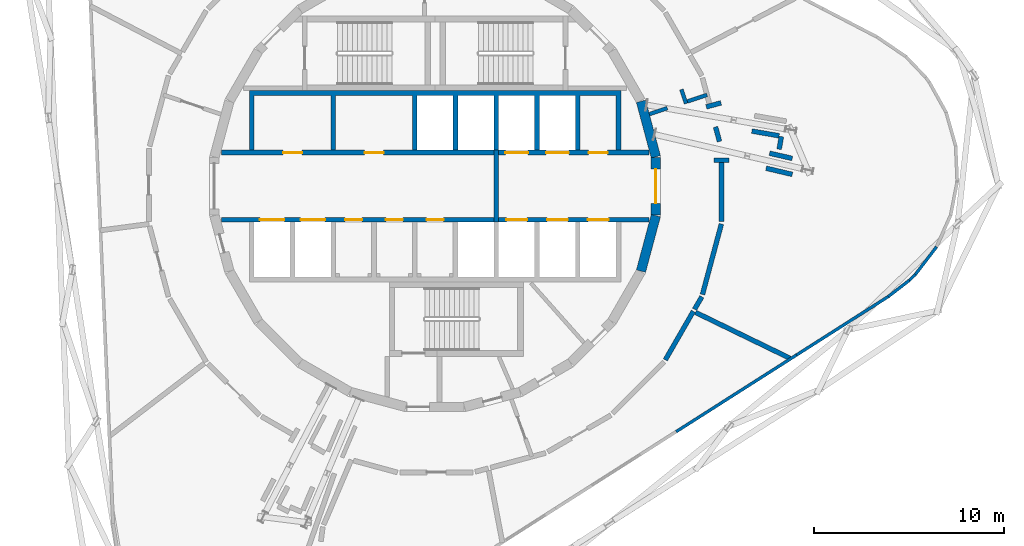
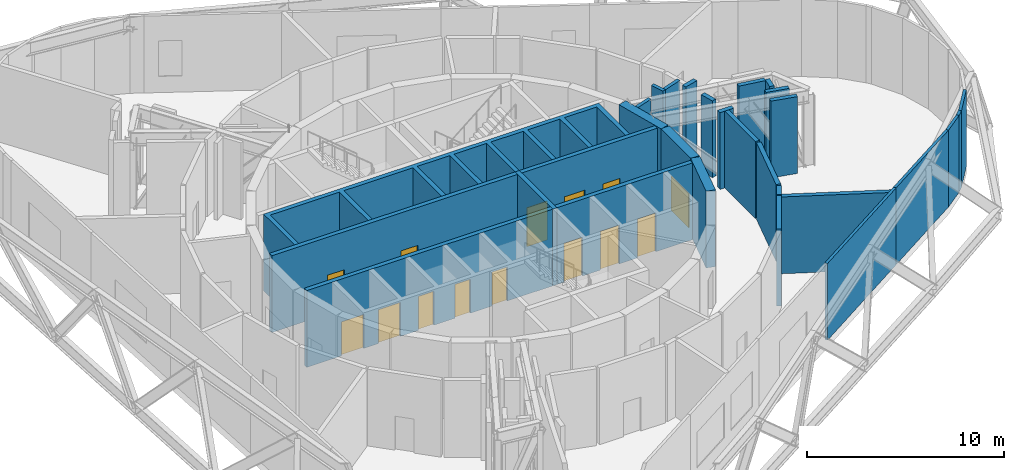
# One storey, part 7 of 12: 29 walls, 14 doors, 14 openings.
"""IFC4 building model written with IfcOpenShell, lengths in metres."""

from ifc_helpers import new_model, si_unit, direction, frame, frame_2d, origin, place, context, subcontext, project, spatial, polyline, rectangle, outline, extrude, material, layer, layer_set, type_object, element, fill, save


model = new_model("IFC4")

# Units and contexts
model_context = context("Model", 3, precision=1e-05, world=origin(), true_north=direction((0.0, 1.0)))
body_context = subcontext(model_context, "Body", "Model", "MODEL_VIEW")
ifc_project = project(units=[si_unit("LENGTHUNIT", "METRE"), si_unit("AREAUNIT", "SQUARE_METRE"), si_unit("VOLUMEUNIT", "CUBIC_METRE"), si_unit("PLANEANGLEUNIT", "RADIAN"), si_unit("MASSUNIT", "GRAM", prefix="KILO")], contexts=[model_context])

# Site, building, storey
site_placement = place(None, origin())
site = spatial("IfcSite", under=ifc_project, at=site_placement, CompositionType="ELEMENT")
building_placement = place(site_placement, origin())
building = spatial("IfcBuilding", under=site, at=building_placement, Name="Spindle Arch Residences", CompositionType="ELEMENT")
storey_placement = place(building_placement, frame((0.0, 0.0, 258.199951171875)))
storey = spatial("IfcBuildingStorey", under=building, at=storey_placement, Name="L66", CompositionType="ELEMENT", Elevation=258.199951171875)

# Wall
ifc_material_1 = material(Name="Concrete C50/60", Category="concrete")
ifc_layer_1 = layer(ifc_material_1, 0.5)
ifc_layer_set_1 = layer_set([ifc_layer_1], Name="Core outline wall 500")
wall_type_1 = type_object("IfcWallType", Name="Core outline wall 500", PredefinedType="SHEAR", material=ifc_layer_set_1)
wall_1_placement = place(storey_placement, frame((10.858154296875, -4.479248046875, 0.0), z_axis=(0.0, 0.0, 1.0), x_axis=(0.258734743916, 0.965948410781, 0.0)))
element("IfcWall", 1, at=wall_1_placement, inside=storey, type_object=wall_type_1, Name="Core outline wall 5", PredefinedType="SHEAR", context=body_context, shape_type="SweptSolid", body=[
    extrude(rectangle(XDim=3.03271484375, YDim=0.5, at=frame_2d((1.516357421875, 0.0))), origin(), (0.0, 0.0, 1.0), 4.75),
])

# Wall, opening, door
wall_2_placement = place(storey_placement, frame((11.647216796875, -1.516357421875, 0.0), z_axis=(0.0, 0.0, 1.0), x_axis=(0.0, 1.0, 0.0)))
wall_2 = element("IfcWall", 2, at=wall_2_placement, inside=storey, type_object=wall_type_1, Name="Core outline wall 6", PredefinedType="SHEAR", context=body_context, shape_type="SweptSolid", body=[
    extrude(rectangle(XDim=3.03271484375, YDim=0.5, at=frame_2d((1.516357421875, 0.0))), origin(), (0.0, 0.0, 1.0), 4.75),
])
opening_1_placement = place(wall_2_placement, frame((0.6162109375, 0.0, 0.0)))
opening_1 = element("IfcOpeningElement", 3, at=opening_1_placement, cuts=wall_2, Name="Opening L66-FE01", PredefinedType="OPENING", context=body_context, shape_type="SweptSolid", body=[
    extrude(rectangle(XDim=1.800048828125, YDim=2.10009765625, at=frame_2d((0.89990234375, 1.050048828125))), frame((0.0, 0.260009765625, 0.0), z_axis=(0.0, -1.0, 0.0), x_axis=(1.0, 0.0, 0.0)), (0.0, 0.0, 1.0), 0.52001953125),
])
ifc_material_2 = material(Name="Steel, fire-resisting door", Category="steel")
door_type_1 = type_object("IfcDoorType", Name="Fire-lift lobby door 1800x2100", OperationType="DOUBLE_DOOR_SINGLE_SWING", PredefinedType="DOOR", material=ifc_material_2)
door_1_placement = place(opening_1_placement, origin())
door_1 = element("IfcDoor", 4, at=door_1_placement, inside=storey, type_object=door_type_1, Name="Fire-lift lobby door L66-FE01", OperationType="DOUBLE_DOOR_SINGLE_SWING", OverallHeight=2.10009765625, OverallWidth=1.800048828125, PredefinedType="DOOR", context=body_context, shape_type="SweptSolid", body=[
    extrude(rectangle(XDim=1.800048828125, YDim=2.10009765625, at=frame_2d((0.89990234375, 1.050048828125))), frame((0.0, 0.02490234375, 0.0), z_axis=(0.0, -1.0, 0.0), x_axis=(1.0, 0.0, 0.0)), (0.0, 0.0, 1.0), 0.050048828125),
])
fill(opening_1, door_1)

# Wall
wall_3_placement = place(storey_placement, frame((11.642822265625, 1.5498046875, 0.0), z_axis=(0.0, 0.0, 1.0), x_axis=(-0.258734743916, 0.965948410781, 0.0)))
element("IfcWall", 5, at=wall_3_placement, inside=storey, type_object=wall_type_1, Name="Core outline wall 7", PredefinedType="SHEAR", context=body_context, shape_type="SweptSolid", body=[
    extrude(rectangle(XDim=3.03271484375, YDim=0.5, at=frame_2d((1.516357421875, 0.0))), origin(), (0.0, 0.0, 1.0), 4.75),
])

# Wall, openings, doors
ifc_material_3 = material(Name="Concrete C40/50", Category="concrete")
ifc_layer_2 = layer(ifc_material_3, 0.25)
ifc_layer_set_2 = layer_set([ifc_layer_2], Name="Fire-lift lobby wall 250")
wall_type_2 = type_object("IfcWallType", Name="Fire-lift lobby wall 250", PredefinedType="SHEAR", material=ifc_layer_set_2)
wall_4_placement = place(storey_placement, frame((3.35009765625, 1.77490234375, 0.0), z_axis=(0.0, 0.0, 1.0), x_axis=(1.0, 0.0, 0.0)))
wall_4 = element("IfcWall", 6, at=wall_4_placement, inside=storey, type_object=wall_type_2, Name="Lift shaft front wall NE", PredefinedType="SHEAR", context=body_context, shape_type="SweptSolid", body=[
    extrude(rectangle(XDim=7.929931640625, YDim=0.25, at=frame_2d((3.96484375, 0.0))), origin(), (0.0, 0.0, 1.0), 4.75),
])
opening_2_placement = place(wall_4_placement, frame((0.35009765625, 0.0, 0.0)))
opening_2 = element("IfcOpeningElement", 7, at=opening_2_placement, cuts=wall_4, Name="Opening L66-SLD01", PredefinedType="OPENING", context=body_context, shape_type="SweptSolid", body=[
    extrude(rectangle(XDim=1.199951171875, YDim=2.39990234375, at=frame_2d((0.60009765625, 1.199951171875))), frame((0.0, 0.135009765625, 0.0), z_axis=(0.0, -1.0, 0.0), x_axis=(1.0, 0.0, 0.0)), (0.0, 0.0, 1.0), 0.27001953125),
])
opening_3_placement = place(wall_4_placement, frame((2.5, 0.0, 0.0)))
opening_3 = element("IfcOpeningElement", 8, at=opening_3_placement, cuts=wall_4, Name="Opening L66-SLD02", PredefinedType="OPENING", context=body_context, shape_type="SweptSolid", body=[
    extrude(rectangle(XDim=1.199951171875, YDim=2.39990234375, at=frame_2d((0.60009765625, 1.199951171875))), frame((0.0, 0.135009765625, 0.0), z_axis=(0.0, -1.0, 0.0), x_axis=(1.0, 0.0, 0.0)), (0.0, 0.0, 1.0), 0.27001953125),
])
opening_4_placement = place(wall_4_placement, frame((4.75, 0.0, 0.0)))
opening_4 = element("IfcOpeningElement", 9, at=opening_4_placement, cuts=wall_4, Name="Opening L66-PD03", PredefinedType="OPENING", context=body_context, shape_type="SweptSolid", body=[
    extrude(rectangle(XDim=1.0, YDim=2.39990234375, at=frame_2d((0.5, 1.199951171875))), frame((0.0, 0.135009765625, 0.0), z_axis=(0.0, -1.0, 0.0), x_axis=(1.0, 0.0, 0.0)), (0.0, 0.0, 1.0), 0.27001953125),
])
ifc_material_4 = material(Name="Steel, fire-resisting door", Category="steel")
door_type_2 = type_object("IfcDoorType", Name="Plant room door 1000x2400", OperationType="SINGLE_SWING_LEFT", PredefinedType="DOOR", material=ifc_material_4)
door_2_placement = place(opening_4_placement, origin())
door_2 = element("IfcDoor", 10, at=door_2_placement, inside=storey, type_object=door_type_2, Name="Plant room door L66-PD03", OperationType="SINGLE_SWING_RIGHT", OverallHeight=2.39990234375, OverallWidth=1.0, PredefinedType="DOOR", context=body_context, shape_type="SweptSolid", body=[
    extrude(rectangle(XDim=1.0, YDim=2.39990234375, at=frame_2d((0.5, 1.199951171875))), frame((0.0, 0.02490234375, 0.0), z_axis=(0.0, -1.0, 0.0), x_axis=(1.0, 0.0, 0.0)), (0.0, 0.0, 1.0), 0.050048828125),
])
fill(opening_4, door_2)
ifc_material_5 = material(Name="Steel, fire-resisting landing door", Category="steel")
door_type_3 = type_object("IfcDoorType", Name="Service lift landing door 1200x2400", OperationType="DOUBLE_DOOR_SLIDING", PredefinedType="DOOR", material=ifc_material_5)
door_3_placement = place(opening_2_placement, origin())
door_3 = element("IfcDoor", 11, at=door_3_placement, inside=storey, type_object=door_type_3, Name="Service lift landing door L66-SLD01", OperationType="DOUBLE_DOOR_SLIDING", OverallHeight=2.39990234375, OverallWidth=1.199951171875, PredefinedType="DOOR", context=body_context, shape_type="SweptSolid", body=[
    extrude(rectangle(XDim=1.199951171875, YDim=2.39990234375, at=frame_2d((0.60009765625, 1.199951171875))), frame((0.0, 0.02490234375, 0.0), z_axis=(0.0, -1.0, 0.0), x_axis=(1.0, 0.0, 0.0)), (0.0, 0.0, 1.0), 0.050048828125),
])
fill(opening_2, door_3)
door_4_placement = place(opening_3_placement, origin())
door_4 = element("IfcDoor", 12, at=door_4_placement, inside=storey, type_object=door_type_3, Name="Service lift landing door L66-SLD02", OperationType="DOUBLE_DOOR_SLIDING", OverallHeight=2.39990234375, OverallWidth=1.199951171875, PredefinedType="DOOR", context=body_context, shape_type="SweptSolid", body=[
    extrude(rectangle(XDim=1.199951171875, YDim=2.39990234375, at=frame_2d((0.60009765625, 1.199951171875))), frame((0.0, 0.02490234375, 0.0), z_axis=(0.0, -1.0, 0.0), x_axis=(1.0, 0.0, 0.0)), (0.0, 0.0, 1.0), 0.050048828125),
])
fill(opening_3, door_4)

# Wall
wall_5_placement = place(storey_placement, frame((3.22509765625, -1.89990234375, 0.0), z_axis=(0.0, 0.0, 1.0), x_axis=(0.0, 1.0, 0.0)))
element("IfcWall", 13, at=wall_5_placement, inside=storey, type_object=wall_type_2, Name="Fire-fighting lobby partition", PredefinedType="SHEAR", context=body_context, shape_type="SweptSolid", body=[
    extrude(rectangle(XDim=3.7998046875, YDim=0.25, at=frame_2d((1.89990234375, 0.0))), origin(), (0.0, 0.0, 1.0), 4.75),
])

# Wall, openings, doors
ifc_material_6 = material(Name="Concrete C50/60", Category="concrete")
ifc_layer_3 = layer(ifc_material_6, 0.25)
ifc_layer_set_3 = layer_set([ifc_layer_3], Name="Fire-lift shaft wall 250")
wall_type_3 = type_object("IfcWallType", Name="Fire-lift shaft wall 250", PredefinedType="SHEAR", material=ifc_layer_set_3)
wall_6_placement = place(storey_placement, frame((3.35009765625, -1.77490234375, 0.0), z_axis=(0.0, 0.0, 1.0), x_axis=(1.0, 0.0, 0.0)))
wall_6 = element("IfcWall", 14, at=wall_6_placement, inside=storey, type_object=wall_type_3, Name="Lift shaft front wall SE", PredefinedType="SHEAR", context=body_context, shape_type="SweptSolid", body=[
    extrude(rectangle(XDim=7.929931640625, YDim=0.25, at=frame_2d((3.96484375, 0.0))), origin(), (0.0, 0.0, 1.0), 4.75),
])
opening_5_placement = place(wall_6_placement, frame((0.39990234375, 0.0, 0.0)))
opening_5 = element("IfcOpeningElement", 15, at=opening_5_placement, cuts=wall_6, Name="Opening L66-FLD01", PredefinedType="OPENING", context=body_context, shape_type="SweptSolid", body=[
    extrude(rectangle(XDim=1.10009765625, YDim=2.39990234375, at=frame_2d((0.550048828125, 1.199951171875))), frame((0.0, 0.135009765625, 0.0), z_axis=(0.0, -1.0, 0.0), x_axis=(1.0, 0.0, 0.0)), (0.0, 0.0, 1.0), 0.27001953125),
])
opening_6_placement = place(wall_6_placement, frame((2.550048828125, 0.0, 0.0)))
opening_6 = element("IfcOpeningElement", 16, at=opening_6_placement, cuts=wall_6, Name="Opening L66-FLD02", PredefinedType="OPENING", context=body_context, shape_type="SweptSolid", body=[
    extrude(rectangle(XDim=1.10009765625, YDim=2.39990234375, at=frame_2d((0.550048828125, 1.199951171875))), frame((0.0, 0.135009765625, 0.0), z_axis=(0.0, -1.0, 0.0), x_axis=(1.0, 0.0, 0.0)), (0.0, 0.0, 1.0), 0.27001953125),
])
opening_7_placement = place(wall_6_placement, frame((4.699951171875, 0.0, 0.0)))
opening_7 = element("IfcOpeningElement", 17, at=opening_7_placement, cuts=wall_6, Name="Opening L66-FLD03", PredefinedType="OPENING", context=body_context, shape_type="SweptSolid", body=[
    extrude(rectangle(XDim=1.10009765625, YDim=2.39990234375, at=frame_2d((0.550048828125, 1.199951171875))), frame((0.0, 0.135009765625, 0.0), z_axis=(0.0, -1.0, 0.0), x_axis=(1.0, 0.0, 0.0)), (0.0, 0.0, 1.0), 0.27001953125),
])
ifc_material_7 = material(Name="Steel, fire-resisting landing door", Category="steel")
door_type_4 = type_object("IfcDoorType", Name="Fire-fighting lift landing door 1100x2400", OperationType="DOUBLE_DOOR_SLIDING", PredefinedType="DOOR", material=ifc_material_7)
door_5_placement = place(opening_5_placement, origin())
door_5 = element("IfcDoor", 18, at=door_5_placement, inside=storey, type_object=door_type_4, Name="Fire-fighting lift landing door L66-FLD01", OperationType="DOUBLE_DOOR_SLIDING", OverallHeight=2.39990234375, OverallWidth=1.10009765625, PredefinedType="DOOR", context=body_context, shape_type="SweptSolid", body=[
    extrude(rectangle(XDim=1.10009765625, YDim=2.39990234375, at=frame_2d((0.550048828125, 1.199951171875))), frame((0.0, 0.02490234375, 0.0), z_axis=(0.0, -1.0, 0.0), x_axis=(1.0, 0.0, 0.0)), (0.0, 0.0, 1.0), 0.050048828125),
])
fill(opening_5, door_5)
door_6_placement = place(opening_6_placement, origin())
door_6 = element("IfcDoor", 19, at=door_6_placement, inside=storey, type_object=door_type_4, Name="Fire-fighting lift landing door L66-FLD02", OperationType="DOUBLE_DOOR_SLIDING", OverallHeight=2.39990234375, OverallWidth=1.10009765625, PredefinedType="DOOR", context=body_context, shape_type="SweptSolid", body=[
    extrude(rectangle(XDim=1.10009765625, YDim=2.39990234375, at=frame_2d((0.550048828125, 1.199951171875))), frame((0.0, 0.02490234375, 0.0), z_axis=(0.0, -1.0, 0.0), x_axis=(1.0, 0.0, 0.0)), (0.0, 0.0, 1.0), 0.050048828125),
])
fill(opening_6, door_6)
door_7_placement = place(opening_7_placement, origin())
door_7 = element("IfcDoor", 20, at=door_7_placement, inside=storey, type_object=door_type_4, Name="Fire-fighting lift landing door L66-FLD03", OperationType="DOUBLE_DOOR_SLIDING", OverallHeight=2.39990234375, OverallWidth=1.10009765625, PredefinedType="DOOR", context=body_context, shape_type="SweptSolid", body=[
    extrude(rectangle(XDim=1.10009765625, YDim=2.39990234375, at=frame_2d((0.550048828125, 1.199951171875))), frame((0.0, 0.02490234375, 0.0), z_axis=(0.0, -1.0, 0.0), x_axis=(1.0, 0.0, 0.0)), (0.0, 0.0, 1.0), 0.050048828125),
])
fill(opening_7, door_7)

# Walls
ifc_material_8 = material(Name="Non-combustible mineral wool insulated aluminium faced external wall (K0)", Category="aluminium")
ifc_layer_4 = layer(ifc_material_8, 0.159912109375)
ifc_layer_set_4 = layer_set([ifc_layer_4], Name="Insulated external wall panel 160")
wall_type_4 = type_object("IfcWallType", Name="Insulated external wall panel 160", PredefinedType="STANDARD", material=ifc_layer_set_4)
wall_7_placement = place(storey_placement, frame((12.71484375, -12.950927734375, 0.0), z_axis=(0.0, 0.0, 1.0), x_axis=(0.843393042763, 0.537297101629, 0.0)))
element("IfcWall", 21, at=wall_7_placement, inside=storey, type_object=wall_type_4, Name="Plant wall L66 bay 1", PredefinedType="STANDARD", context=body_context, shape_type="SweptSolid", body=[
    extrude(rectangle(XDim=7.530029296875, YDim=0.159912109375, at=frame_2d((3.76513671875, 0.0))), origin(), (0.0, 0.0, 1.0), 4.75),
])
wall_8_placement = place(storey_placement, frame((19.065673828125, -8.905029296875, 0.0), z_axis=(0.0, 0.0, 1.0), x_axis=(0.843393436183, 0.537296484079, 0.0)))
element("IfcWall", 22, at=wall_8_placement, inside=storey, type_object=wall_type_4, Name="Plant wall L66 bay 2.1", PredefinedType="STANDARD", context=body_context, shape_type="SweptSolid", body=[
    extrude(rectangle(XDim=5.740234375, YDim=0.159912109375, at=frame_2d((2.8701171875, 0.0))), origin(), (0.0, 0.0, 1.0), 4.75),
])
wall_9_placement = place(storey_placement, frame((23.904052734375, -5.82275390625, 0.0), z_axis=(0.0, 0.0, 1.0), x_axis=(0.792514141733, 0.609853535821, 0.0)))
element("IfcWall", 23, at=wall_9_placement, inside=storey, type_object=wall_type_4, Name="Plant wall L66 bay 2.2", PredefinedType="STANDARD", context=body_context, shape_type="SweptSolid", body=[
    extrude(rectangle(XDim=1.40478515625, YDim=0.159912109375, at=frame_2d((0.702392578125, 0.0))), origin(), (0.0, 0.0, 1.0), 4.75),
])
wall_10_placement = place(storey_placement, frame((25.017333984375, -4.966064453125, 0.0), z_axis=(0.0, 0.0, 1.0), x_axis=(0.71617993341, 0.697915684722, 0.0)))
element("IfcWall", 24, at=wall_10_placement, inside=storey, type_object=wall_type_4, Name="Plant wall L66 bay 3.1", PredefinedType="STANDARD", context=body_context, shape_type="SweptSolid", body=[
    extrude(rectangle(XDim=0.441162109375, YDim=0.159912109375, at=frame_2d((0.220703125, 0.0))), origin(), (0.0, 0.0, 1.0), 4.75),
])
wall_11_placement = place(storey_placement, frame((25.329345703125, -4.66259765625, 0.0), z_axis=(0.0, 0.0, 1.0), x_axis=(0.60876459751, 0.793350909005, 0.0)))
element("IfcWall", 25, at=wall_11_placement, inside=storey, type_object=wall_type_4, Name="Plant wall L66 bay 3.2", PredefinedType="STANDARD", context=body_context, shape_type="SweptSolid", body=[
    extrude(rectangle(XDim=1.846435546875, YDim=0.159912109375, at=frame_2d((0.92333984375, 0.0))), origin(), (0.0, 0.0, 1.0), 4.75),
])

# Wall, openings, doors
ifc_material_9 = material(Name="Concrete C50/60", Category="concrete")
ifc_layer_5 = layer(ifc_material_9, 0.25)
ifc_layer_set_5 = layer_set([ifc_layer_5], Name="Lift shaft wall 250")
wall_type_5 = type_object("IfcWallType", Name="Lift shaft wall 250", PredefinedType="SHEAR", material=ifc_layer_set_5)
wall_12_placement = place(storey_placement, frame((-11.280029296875, 1.77490234375, 0.0), z_axis=(0.0, 0.0, 1.0), x_axis=(1.0, 0.0, 0.0)))
wall_12 = element("IfcWall", 26, at=wall_12_placement, inside=storey, type_object=wall_type_5, Name="Lift shaft front wall NW", PredefinedType="SHEAR", context=body_context, shape_type="SweptSolid", body=[
    extrude(rectangle(XDim=14.380126953125, YDim=0.25, at=frame_2d((7.18994140625, 0.0))), origin(), (0.0, 0.0, 1.0), 4.75),
])
opening_8_placement = place(wall_12_placement, frame((3.2548828125, 0.0, 0.0)))
opening_8 = element("IfcOpeningElement", 27, at=opening_8_placement, cuts=wall_12, Name="Opening L66-PD01", PredefinedType="OPENING", context=body_context, shape_type="SweptSolid", body=[
    extrude(rectangle(XDim=1.0, YDim=2.39990234375, at=frame_2d((0.5, 1.199951171875))), frame((0.0, 0.135009765625, 0.0), z_axis=(0.0, -1.0, 0.0), x_axis=(1.0, 0.0, 0.0)), (0.0, 0.0, 1.0), 0.27001953125),
])
opening_9_placement = place(wall_12_placement, frame((7.554931640625, 0.0, 0.0)))
opening_9 = element("IfcOpeningElement", 28, at=opening_9_placement, cuts=wall_12, Name="Opening L66-PD02", PredefinedType="OPENING", context=body_context, shape_type="SweptSolid", body=[
    extrude(rectangle(XDim=1.0, YDim=2.39990234375, at=frame_2d((0.5, 1.199951171875))), frame((0.0, 0.135009765625, 0.0), z_axis=(0.0, -1.0, 0.0), x_axis=(1.0, 0.0, 0.0)), (0.0, 0.0, 1.0), 0.27001953125),
])
door_8_placement = place(opening_8_placement, origin())
door_8 = element("IfcDoor", 29, at=door_8_placement, inside=storey, type_object=door_type_2, Name="Plant room door L66-PD01", OperationType="SINGLE_SWING_RIGHT", OverallHeight=2.39990234375, OverallWidth=1.0, PredefinedType="DOOR", context=body_context, shape_type="SweptSolid", body=[
    extrude(rectangle(XDim=1.0, YDim=2.39990234375, at=frame_2d((0.5, 1.199951171875))), frame((0.0, 0.02490234375, 0.0), z_axis=(0.0, -1.0, 0.0), x_axis=(1.0, 0.0, 0.0)), (0.0, 0.0, 1.0), 0.050048828125),
])
fill(opening_8, door_8)
door_9_placement = place(opening_9_placement, origin())
door_9 = element("IfcDoor", 30, at=door_9_placement, inside=storey, type_object=door_type_2, Name="Plant room door L66-PD02", OperationType="SINGLE_SWING_LEFT", OverallHeight=2.39990234375, OverallWidth=1.0, PredefinedType="DOOR", context=body_context, shape_type="SweptSolid", body=[
    extrude(rectangle(XDim=1.0, YDim=2.39990234375, at=frame_2d((0.5, 1.199951171875))), frame((0.0, 0.02490234375, 0.0), z_axis=(0.0, -1.0, 0.0), x_axis=(1.0, 0.0, 0.0)), (0.0, 0.0, 1.0), 0.050048828125),
])
fill(opening_9, door_9)

wall_13_placement = place(storey_placement, frame((-11.280029296875, -1.77490234375, 0.0), z_axis=(0.0, 0.0, 1.0), x_axis=(1.0, 0.0, 0.0)))
wall_13 = element("IfcWall", 31, at=wall_13_placement, inside=storey, type_object=wall_type_5, Name="Lift shaft front wall SW", PredefinedType="SHEAR", context=body_context, shape_type="SweptSolid", body=[
    extrude(rectangle(XDim=14.380126953125, YDim=0.25, at=frame_2d((7.18994140625, 0.0))), origin(), (0.0, 0.0, 1.0), 4.75),
])
opening_10_placement = place(wall_13_placement, frame((2.030029296875, 0.0, 0.0)))
opening_10 = element("IfcOpeningElement", 32, at=opening_10_placement, cuts=wall_13, Name="Opening L66-XLD01", PredefinedType="OPENING", context=body_context, shape_type="SweptSolid", body=[
    extrude(rectangle(XDim=1.300048828125, YDim=2.10009765625, at=frame_2d((0.64990234375, 1.050048828125))), frame((0.0, 0.135009765625, 0.0), z_axis=(0.0, -1.0, 0.0), x_axis=(1.0, 0.0, 0.0)), (0.0, 0.0, 1.0), 0.27001953125),
])
opening_11_placement = place(wall_13_placement, frame((4.179931640625, 0.0, 0.0)))
opening_11 = element("IfcOpeningElement", 33, at=opening_11_placement, cuts=wall_13, Name="Opening L66-XLD02", PredefinedType="OPENING", context=body_context, shape_type="SweptSolid", body=[
    extrude(rectangle(XDim=1.300048828125, YDim=2.10009765625, at=frame_2d((0.64990234375, 1.050048828125))), frame((0.0, 0.135009765625, 0.0), z_axis=(0.0, -1.0, 0.0), x_axis=(1.0, 0.0, 0.0)), (0.0, 0.0, 1.0), 0.27001953125),
])
opening_12_placement = place(wall_13_placement, frame((6.530029296875, 0.0, 0.0)))
opening_12 = element("IfcOpeningElement", 34, at=opening_12_placement, cuts=wall_13, Name="Opening L66-WD01", PredefinedType="OPENING", context=body_context, shape_type="SweptSolid", body=[
    extrude(rectangle(XDim=0.89990234375, YDim=2.10009765625, at=frame_2d((0.449951171875, 1.050048828125))), frame((0.0, 0.135009765625, 0.0), z_axis=(0.0, -1.0, 0.0), x_axis=(1.0, 0.0, 0.0)), (0.0, 0.0, 1.0), 0.27001953125),
])
opening_13_placement = place(wall_13_placement, frame((8.679931640625, 0.0, 0.0)))
opening_13 = element("IfcOpeningElement", 35, at=opening_13_placement, cuts=wall_13, Name="Opening L66-WD02", PredefinedType="OPENING", context=body_context, shape_type="SweptSolid", body=[
    extrude(rectangle(XDim=0.89990234375, YDim=2.10009765625, at=frame_2d((0.449951171875, 1.050048828125))), frame((0.0, 0.135009765625, 0.0), z_axis=(0.0, -1.0, 0.0), x_axis=(1.0, 0.0, 0.0)), (0.0, 0.0, 1.0), 0.27001953125),
])
opening_14_placement = place(wall_13_placement, frame((10.830078125, 0.0, 0.0)))
opening_14 = element("IfcOpeningElement", 36, at=opening_14_placement, cuts=wall_13, Name="Opening L66-WD03", PredefinedType="OPENING", context=body_context, shape_type="SweptSolid", body=[
    extrude(rectangle(XDim=0.89990234375, YDim=2.10009765625, at=frame_2d((0.449951171875, 1.050048828125))), frame((0.0, 0.135009765625, 0.0), z_axis=(0.0, -1.0, 0.0), x_axis=(1.0, 0.0, 0.0)), (0.0, 0.0, 1.0), 0.27001953125),
])
ifc_material_10 = material(Name="Steel, fire-resisting landing door", Category="steel")
door_type_5 = type_object("IfcDoorType", Name="Express shuttle landing door 1300x2100", OperationType="DOUBLE_DOOR_SLIDING", PredefinedType="DOOR", material=ifc_material_10)
door_10_placement = place(opening_10_placement, origin())
door_10 = element("IfcDoor", 37, at=door_10_placement, inside=storey, type_object=door_type_5, Name="Express shuttle landing door L66-XLD01", OperationType="DOUBLE_DOOR_SLIDING", OverallHeight=2.10009765625, OverallWidth=1.300048828125, PredefinedType="DOOR", context=body_context, shape_type="SweptSolid", body=[
    extrude(rectangle(XDim=1.300048828125, YDim=2.10009765625, at=frame_2d((0.64990234375, 1.050048828125))), frame((0.0, 0.02490234375, 0.0), z_axis=(0.0, -1.0, 0.0), x_axis=(1.0, 0.0, 0.0)), (0.0, 0.0, 1.0), 0.050048828125),
])
fill(opening_10, door_10)
door_11_placement = place(opening_11_placement, origin())
door_11 = element("IfcDoor", 38, at=door_11_placement, inside=storey, type_object=door_type_5, Name="Express shuttle landing door L66-XLD02", OperationType="DOUBLE_DOOR_SLIDING", OverallHeight=2.10009765625, OverallWidth=1.300048828125, PredefinedType="DOOR", context=body_context, shape_type="SweptSolid", body=[
    extrude(rectangle(XDim=1.300048828125, YDim=2.10009765625, at=frame_2d((0.64990234375, 1.050048828125))), frame((0.0, 0.02490234375, 0.0), z_axis=(0.0, -1.0, 0.0), x_axis=(1.0, 0.0, 0.0)), (0.0, 0.0, 1.0), 0.050048828125),
])
fill(opening_11, door_11)
ifc_material_11 = material(Name="Steel, fire-resisting door", Category="steel")
door_type_6 = type_object("IfcDoorType", Name="Service room door 900x2100", OperationType="SINGLE_SWING_LEFT", PredefinedType="DOOR", material=ifc_material_11)
door_12_placement = place(opening_12_placement, origin())
door_12 = element("IfcDoor", 39, at=door_12_placement, inside=storey, type_object=door_type_6, Name="Service room door L66-WD01", OperationType="SINGLE_SWING_LEFT", OverallHeight=2.10009765625, OverallWidth=0.89990234375, PredefinedType="DOOR", context=body_context, shape_type="SweptSolid", body=[
    extrude(rectangle(XDim=0.89990234375, YDim=2.10009765625, at=frame_2d((0.449951171875, 1.050048828125))), frame((0.0, 0.02490234375, 0.0), z_axis=(0.0, -1.0, 0.0), x_axis=(1.0, 0.0, 0.0)), (0.0, 0.0, 1.0), 0.050048828125),
])
fill(opening_12, door_12)
door_13_placement = place(opening_13_placement, origin())
door_13 = element("IfcDoor", 40, at=door_13_placement, inside=storey, type_object=door_type_6, Name="Service room door L66-WD02", OperationType="SINGLE_SWING_RIGHT", OverallHeight=2.10009765625, OverallWidth=0.89990234375, PredefinedType="DOOR", context=body_context, shape_type="SweptSolid", body=[
    extrude(rectangle(XDim=0.89990234375, YDim=2.10009765625, at=frame_2d((0.449951171875, 1.050048828125))), frame((0.0, 0.02490234375, 0.0), z_axis=(0.0, -1.0, 0.0), x_axis=(1.0, 0.0, 0.0)), (0.0, 0.0, 1.0), 0.050048828125),
])
fill(opening_13, door_13)
door_14_placement = place(opening_14_placement, origin())
door_14 = element("IfcDoor", 41, at=door_14_placement, inside=storey, type_object=door_type_6, Name="Service room door L66-WD03", OperationType="SINGLE_SWING_LEFT", OverallHeight=2.10009765625, OverallWidth=0.89990234375, PredefinedType="DOOR", context=body_context, shape_type="SweptSolid", body=[
    extrude(rectangle(XDim=0.89990234375, YDim=2.10009765625, at=frame_2d((0.449951171875, 1.050048828125))), frame((0.0, 0.02490234375, 0.0), z_axis=(0.0, -1.0, 0.0), x_axis=(1.0, 0.0, 0.0)), (0.0, 0.0, 1.0), 0.050048828125),
])
fill(opening_14, door_14)

# Walls
ifc_material_12 = material(Name="Concrete C50/60", Category="concrete")
wall_type_6 = type_object("IfcWallType", Name="Lift shaft wall profile", PredefinedType="SHEAR", material=ifc_material_12)
wall_14_placement = place(storey_placement, origin())
element("IfcWall", 42, at=wall_14_placement, inside=storey, type_object=wall_type_6, Name="Lift shaft walls N", PredefinedType="SHEAR", context=body_context, shape_type="SweptSolid", body=[
    extrude(outline(polyline([(-9.550048828125, 4.800048828125), (-5.5, 4.800048828125), (-5.5, 1.89990234375), (-5.25, 1.89990234375), (-5.25, 4.800048828125), (-1.199951171875, 4.800048828125), (-1.199951171875, 1.89990234375), (-0.949951171875, 1.89990234375), (-0.949951171875, 4.800048828125), (0.949951171875, 4.800048828125), (0.949951171875, 1.89990234375), (1.199951171875, 1.89990234375), (1.199951171875, 4.800048828125), (3.10009765625, 4.800048828125), (3.10009765625, 1.89990234375), (3.35009765625, 1.89990234375), (3.35009765625, 4.800048828125), (5.25, 4.800048828125), (5.25, 1.89990234375), (5.5, 1.89990234375), (5.5, 4.800048828125), (7.39990234375, 4.800048828125), (7.39990234375, 1.89990234375), (7.64990234375, 1.89990234375), (7.64990234375, 4.800048828125), (9.550048828125, 4.800048828125), (9.550048828125, 1.89990234375), (9.800048828125, 1.89990234375), (9.800048828125, 4.800048828125), (9.800048828125, 5.050048828125), (-9.800048828125, 5.050048828125), (-9.800048828125, 4.800048828125), (-9.800048828125, 1.89990234375), (-9.550048828125, 1.89990234375), (-9.550048828125, 4.800048828125)])), origin(), (0.0, 0.0, 1.0), 4.75),
])
ifc_material_13 = material(Name="Concrete C25/30 wall", Category="concrete")
ifc_layer_6 = layer(ifc_material_13, 0.25)
ifc_layer_set_6 = layer_set([ifc_layer_6], Name="Partition EI 120 250 plant")
wall_type_7 = type_object("IfcWallType", Name="Partition EI 120 250 plant", PredefinedType="PARTITIONING", material=ifc_layer_set_6)
wall_15_placement = place(storey_placement, frame((12.142333984375, -9.16162109375, 0.0), z_axis=(0.0, 0.0, 1.0), x_axis=(0.499717688814, 0.866188334882, 0.0)))
element("IfcWall", 43, at=wall_15_placement, inside=storey, type_object=wall_type_7, Name="L66-W055", PredefinedType="PARTITIONING", context=body_context, shape_type="SweptSolid", body=[
    extrude(rectangle(XDim=2.957275390625, YDim=0.25, at=frame_2d((1.478515625, 0.0))), origin(), (0.0, 0.0, 1.0), 4.75),
])
wall_16_placement = place(storey_placement, frame((13.68310546875, -6.4921875, 0.0), z_axis=(0.0, 0.0, 1.0), x_axis=(0.504583428371, 0.863362938638, 0.0)))
element("IfcWall", 44, at=wall_16_placement, inside=storey, type_object=wall_type_7, Name="L66-W059", PredefinedType="PARTITIONING", context=body_context, shape_type="SweptSolid", body=[
    extrude(rectangle(XDim=0.766845703125, YDim=0.25, at=frame_2d((0.38330078125, 0.0))), origin(), (0.0, 0.0, 1.0), 4.75),
])
wall_17_placement = place(storey_placement, frame((13.732421875, -6.654541015625, 0.0), z_axis=(0.0, 0.0, 1.0), x_axis=(0.899529661215, -0.436859689825, 0.0)))
element("IfcWall", 45, at=wall_17_placement, inside=storey, type_object=wall_type_7, Name="L66-W060", PredefinedType="PARTITIONING", context=body_context, shape_type="SweptSolid", body=[
    extrude(rectangle(XDim=5.609130859375, YDim=0.25, at=frame_2d((2.8046875, 0.0))), origin(), (0.0, 0.0, 1.0), 4.75),
])
wall_18_placement = place(storey_placement, frame((14.102294921875, -5.709228515625, 0.0), z_axis=(0.0, 0.0, 1.0), x_axis=(0.259118468411, 0.965845546311, 0.0)))
element("IfcWall", 46, at=wall_18_placement, inside=storey, type_object=wall_type_7, Name="L66-W061", PredefinedType="PARTITIONING", context=body_context, shape_type="SweptSolid", body=[
    extrude(rectangle(XDim=3.850830078125, YDim=0.25, at=frame_2d((1.92529296875, 0.0))), origin(), (0.0, 0.0, 1.0), 4.75),
])
wall_19_placement = place(storey_placement, frame((15.0, 2.360107421875, 0.0), z_axis=(0.0, 0.0, 1.0), x_axis=(-0.260445943037, 0.965488431187, 0.0)))
element("IfcWall", 47, at=wall_19_placement, inside=storey, type_object=wall_type_7, Name="L66-W065", PredefinedType="PARTITIONING", context=body_context, shape_type="SweptSolid", body=[
    extrude(rectangle(XDim=0.796875, YDim=0.25, at=frame_2d((0.3984375, 0.0))), origin(), (0.0, 0.0, 1.0), 4.75),
])
wall_20_placement = place(storey_placement, frame((15.10009765625, -1.864990234375, 0.0), z_axis=(0.0, 0.0, 1.0), x_axis=(0.0, 1.0, 0.0)))
element("IfcWall", 48, at=wall_20_placement, inside=storey, type_object=wall_type_7, Name="L66-W066", PredefinedType="PARTITIONING", context=body_context, shape_type="SweptSolid", body=[
    extrude(rectangle(XDim=3.10498046875, YDim=0.25, at=frame_2d((1.552490234375, 0.0))), origin(), (0.0, 0.0, 1.0), 4.75),
])
wall_21_placement = place(storey_placement, frame((16.7099609375, 2.909912109375, 0.0), z_axis=(0.0, 0.0, 1.0), x_axis=(0.985443639096, -0.170002453407, 0.0)))
element("IfcWall", 49, at=wall_21_placement, inside=storey, type_object=wall_type_7, Name="L66-W067", PredefinedType="PARTITIONING", context=body_context, shape_type="SweptSolid", body=[
    extrude(rectangle(XDim=1.454833984375, YDim=0.25, at=frame_2d((0.7275390625, 0.0))), origin(), (0.0, 0.0, 1.0), 4.75),
])
wall_22_placement = place(storey_placement, frame((17.4599609375, 0.949951171875, 0.0), z_axis=(0.0, 0.0, 1.0), x_axis=(0.973281351015, -0.229615791632, 0.0)))
element("IfcWall", 50, at=wall_22_placement, inside=storey, type_object=wall_type_7, Name="L66-W068", PredefinedType="PARTITIONING", context=body_context, shape_type="SweptSolid", body=[
    extrude(rectangle(XDim=1.416259765625, YDim=0.25, at=frame_2d((0.7080078125, 0.0))), origin(), (0.0, 0.0, 1.0), 4.75),
])
wall_23_placement = place(storey_placement, frame((18.838134765625, 1.4677734375, 0.0), z_axis=(0.0, 0.0, 1.0), x_axis=(-0.975152369329, 0.221535226528, 0.0)))
element("IfcWall", 51, at=wall_23_placement, inside=storey, type_object=wall_type_7, Name="L66-W070", PredefinedType="PARTITIONING", context=body_context, shape_type="SweptSolid", body=[
    extrude(rectangle(XDim=1.228759765625, YDim=0.25, at=frame_2d((0.6142578125, 0.0))), origin(), (0.0, 0.0, 1.0), 4.75),
])
wall_24_placement = place(storey_placement, frame((14.304443359375, 4.188720703125, 0.0), z_axis=(0.0, 0.0, 1.0), x_axis=(0.965680559049, 0.259732666167, 0.0)))
element("IfcWall", 52, at=wall_24_placement, inside=storey, type_object=wall_type_7, Name="L66-W077", PredefinedType="PARTITIONING", context=body_context, shape_type="SweptSolid", body=[
    extrude(rectangle(XDim=0.7998046875, YDim=0.25, at=frame_2d((0.39990234375, 0.0))), origin(), (0.0, 0.0, 1.0), 4.75),
])
wall_25_placement = place(storey_placement, frame((15.5, 1.364990234375, 0.0), z_axis=(0.0, 0.0, 1.0), x_axis=(-1.0, 0.0, 0.0)))
element("IfcWall", 53, at=wall_25_placement, inside=storey, type_object=wall_type_7, Name="L66-W078", PredefinedType="PARTITIONING", context=body_context, shape_type="SweptSolid", body=[
    extrude(rectangle(XDim=0.800048828125, YDim=0.25, at=frame_2d((0.39990234375, 0.0))), origin(), (0.0, 0.0, 1.0), 4.75),
])
wall_26_placement = place(storey_placement, frame((18.147705078125, 1.951416015625, 0.0), z_axis=(0.0, 0.0, 1.0), x_axis=(0.169991160734, 0.98544558717, 0.0)))
element("IfcWall", 54, at=wall_26_placement, inside=storey, type_object=wall_type_7, Name="L66-W079", PredefinedType="PARTITIONING", context=body_context, shape_type="SweptSolid", body=[
    extrude(rectangle(XDim=0.67919921875, YDim=0.25, at=frame_2d((0.339599609375, 0.0))), origin(), (0.0, 0.0, 1.0), 4.75),
])
ifc_material_14 = material(Name="Gypsum board partition on steel studs", Category="steel")
ifc_layer_7 = layer(ifc_material_14, 0.199951171875)
ifc_layer_set_7 = layer_set([ifc_layer_7], Name="Partition EI 60 200 amenity")
wall_type_8 = type_object("IfcWallType", Name="Partition EI 60 200 amenity", PredefinedType="PARTITIONING", material=ifc_layer_set_7)
wall_27_placement = place(storey_placement, frame((12.25, 4.1201171875, 0.0), z_axis=(0.0, 0.0, 1.0), x_axis=(-0.947655422203, -0.319294849269, 0.0)))
element("IfcWall", 55, at=wall_27_placement, inside=storey, type_object=wall_type_8, Name="L66-W057", PredefinedType="PARTITIONING", context=body_context, shape_type="SweptSolid", body=[
    extrude(rectangle(XDim=1.00244140625, YDim=0.199951171875, at=frame_2d((0.501220703125, 0.0))), origin(), (0.0, 0.0, 1.0), 4.75),
])
wall_28_placement = place(storey_placement, frame((14.340087890625, 4.820068359375, 0.0), z_axis=(0.0, 0.0, 1.0), x_axis=(-0.948660926874, -0.316294871634, 0.0)))
element("IfcWall", 56, at=wall_28_placement, inside=storey, type_object=wall_type_8, Name="L66-W063", PredefinedType="PARTITIONING", context=body_context, shape_type="SweptSolid", body=[
    extrude(rectangle(XDim=1.091552734375, YDim=0.199951171875, at=frame_2d((0.5458984375, 0.0))), origin(), (0.0, 0.0, 1.0), 4.75),
])
wall_29_placement = place(storey_placement, frame((12.98828125, 5.107421875, 0.0), z_axis=(0.0, 0.0, 1.0), x_axis=(0.316414803104, -0.948620931867, 0.0)))
element("IfcWall", 57, at=wall_29_placement, inside=storey, type_object=wall_type_8, Name="L66-W076", PredefinedType="PARTITIONING", context=body_context, shape_type="SweptSolid", body=[
    extrude(rectangle(XDim=0.783203125, YDim=0.199951171875, at=frame_2d((0.3916015625, 0.0))), origin(), (0.0, 0.0, 1.0), 4.75),
])

save(model, "model.ifc")
